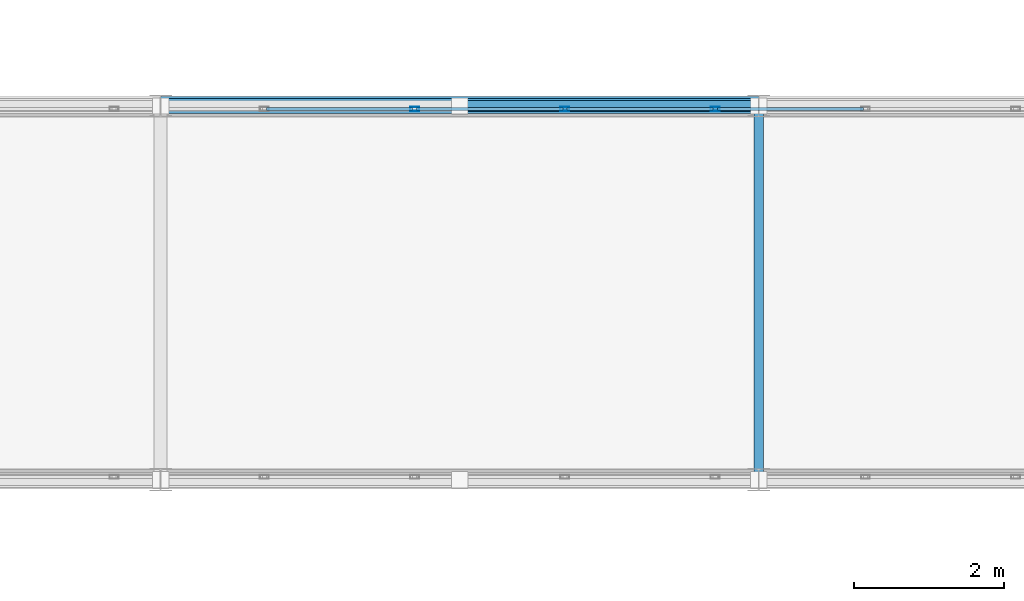
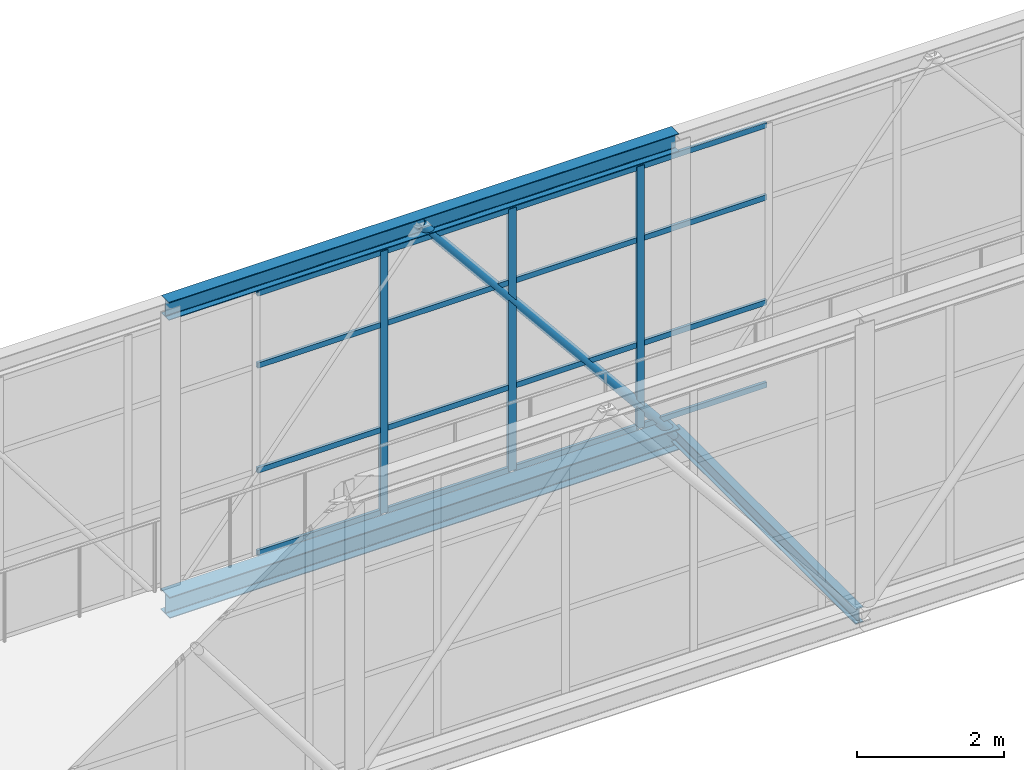
# One storey, part 92 of 248: 23 members, 1 element without a shape of its own.
"""IFC4 building model written with IfcOpenShell, lengths in metres."""

from ifc_helpers import new_model, si_unit, direction, frame, origin, origin_2d, place, context, subcontext, project, spatial, hollow_rectangle, hollow_circle, i_section, extrude, material, layer, layer_set, material_profile, profile_set, type_object, element, aggregate, save


model = new_model("IFC4")

# Units and contexts
model_context = context("Model", 3, precision=1e-05, world=origin(), true_north=direction((0.0, 1.0)))
body_context = subcontext(model_context, "Body", "Model", "MODEL_VIEW")
ifc_project = project(units=[si_unit("LENGTHUNIT", "METRE"), si_unit("AREAUNIT", "SQUARE_METRE"), si_unit("VOLUMEUNIT", "CUBIC_METRE"), si_unit("PLANEANGLEUNIT", "RADIAN"), si_unit("MASSUNIT", "GRAM", prefix="KILO")], contexts=[model_context])

# Site, building, storey
site_placement = place(None, origin())
site = spatial("IfcSite", under=ifc_project, at=site_placement, CompositionType="ELEMENT")
building_placement = place(site_placement, origin())
building = spatial("IfcBuilding", under=site, at=building_placement, Name="Canggui Botanical Conservatory", CompositionType="ELEMENT")
storey_placement = place(building_placement, frame((0.0, 0.0, 5.39990234375)))
storey = spatial("IfcBuildingStorey", under=building, at=storey_placement, Name="L02", CompositionType="ELEMENT", Elevation=5.39990234375)

# Curtain wall, members
ifc_material_1 = material(Name="Thermally Broken Aluminium", Category="aluminium")
ifc_layer = layer(ifc_material_1, 0.1201171875, Name="Thermally Broken Aluminium", Category="aluminium")
ifc_layer_set = layer_set([ifc_layer], Name="Thermally Broken Aluminium")
curtain_wall_type = type_object("IfcCurtainWallType", Name="CW-STICK-B", PredefinedType="USERDEFINED", material=ifc_layer_set)
curtain_wall_placement = place(storey_placement, origin())
curtain_wall = element("IfcCurtainWall", 1, at=curtain_wall_placement, inside=storey, type_object=curtain_wall_type, Name="Facade Curtain Wall CW-SB-01-2", ObjectType="STICK GLAZED WALL", PredefinedType="USERDEFINED")
ifc_material_profile_1 = material_profile(ifc_material_1, hollow_rectangle(XDim=0.054931640625, YDim=0.1201171875, WallThickness=0.0029296875, at=origin_2d()), Name="CWM 55x120x3")
ifc_profile_set_1 = profile_set([ifc_material_profile_1], Name="Thermally Broken Aluminium")
member_type_1 = type_object("IfcMemberType", Name="CWM-05", PredefinedType="MULLION", material=ifc_profile_set_1)
member_1_placement = place(storey_placement, frame((76.8984375, 30.9599609375, 0.0), z_axis=(0.0, 0.0, 1.0), x_axis=(0.0, 1.0, 0.0)))
member_1 = element("IfcMember", 2, at=member_1_placement, type_object=member_type_1, Name="CW-05 mullion 6", PredefinedType="MULLION", context=body_context, shape_type="SweptSolid", body=[
    extrude(hollow_rectangle(XDim=0.054931640625, YDim=0.1201171875, WallThickness=0.0029296875, at=origin_2d()), origin(), (0.0, 0.0, 1.0), 4.35009765625),
])
member_2_placement = place(storey_placement, frame((78.907958984375, 30.9599609375, 0.0), z_axis=(0.0, 0.0, 1.0), x_axis=(0.0, 1.0, 0.0)))
member_2 = element("IfcMember", 3, at=member_2_placement, type_object=member_type_1, Name="CW-05 mullion 7", PredefinedType="MULLION", context=body_context, shape_type="SweptSolid", body=[
    extrude(hollow_rectangle(XDim=0.054931640625, YDim=0.1201171875, WallThickness=0.0029296875, at=origin_2d()), origin(), (0.0, 0.0, 1.0), 4.35009765625),
])
member_3_placement = place(storey_placement, frame((80.917724609375, 30.9599609375, 0.0), z_axis=(0.0, 0.0, 1.0), x_axis=(0.0, 1.0, 0.0)))
member_3 = element("IfcMember", 4, at=member_3_placement, type_object=member_type_1, Name="CW-05 mullion 8", PredefinedType="MULLION", context=body_context, shape_type="SweptSolid", body=[
    extrude(hollow_rectangle(XDim=0.054931640625, YDim=0.1201171875, WallThickness=0.0029296875, at=origin_2d()), origin(), (0.0, 0.0, 1.0), 4.35009765625),
])
ifc_material_profile_2 = material_profile(ifc_material_1, hollow_rectangle(XDim=0.044921875, YDim=0.090087890625, WallThickness=0.0029296875, at=origin_2d()), Name="CWT 45x90x3")
ifc_profile_set_2 = profile_set([ifc_material_profile_2], Name="Thermally Broken Aluminium")
member_type_2 = type_object("IfcMemberType", Name="CWT-05", PredefinedType="USERDEFINED", material=ifc_profile_set_2)
member_4_placement = place(storey_placement, frame((74.916259765625, 30.9599609375, 0.022705078125), z_axis=(1.0, 0.0, 0.0), x_axis=(0.0, 1.0, 0.0)))
member_4 = element("IfcMember", 5, at=member_4_placement, type_object=member_type_2, Name="CW-05 transom 5.1", ObjectType="TRANSOM", PredefinedType="USERDEFINED", context=body_context, shape_type="SweptSolid", body=[
    extrude(hollow_rectangle(XDim=0.044921875, YDim=0.090087890625, WallThickness=0.0029296875, at=origin_2d()), origin(), (0.0, 0.0, 1.0), 1.95458984375),
])
member_5_placement = place(storey_placement, frame((74.916259765625, 30.9599609375, 1.39208984375), z_axis=(1.0, 0.0, 0.0), x_axis=(0.0, 1.0, 0.0)))
member_5 = element("IfcMember", 6, at=member_5_placement, type_object=member_type_2, Name="CW-05 transom 5.2", ObjectType="TRANSOM", PredefinedType="USERDEFINED", context=body_context, shape_type="SweptSolid", body=[
    extrude(hollow_rectangle(XDim=0.044921875, YDim=0.090087890625, WallThickness=0.0029296875, at=origin_2d()), origin(), (0.0, 0.0, 1.0), 1.95458984375),
])
member_6_placement = place(storey_placement, frame((74.916259765625, 30.9599609375, 3.132080078125), z_axis=(1.0, 0.0, 0.0), x_axis=(0.0, 1.0, 0.0)))
member_6 = element("IfcMember", 7, at=member_6_placement, type_object=member_type_2, Name="CW-05 transom 5.3", ObjectType="TRANSOM", PredefinedType="USERDEFINED", context=body_context, shape_type="SweptSolid", body=[
    extrude(hollow_rectangle(XDim=0.044921875, YDim=0.090087890625, WallThickness=0.0029296875, at=origin_2d()), origin(), (0.0, 0.0, 1.0), 1.95458984375),
])
member_7_placement = place(storey_placement, frame((74.916259765625, 30.9599609375, 4.32763671875), z_axis=(1.0, 0.0, 0.0), x_axis=(0.0, 1.0, 0.0)))
member_7 = element("IfcMember", 8, at=member_7_placement, type_object=member_type_2, Name="CW-05 transom 5.4", ObjectType="TRANSOM", PredefinedType="USERDEFINED", context=body_context, shape_type="SweptSolid", body=[
    extrude(hollow_rectangle(XDim=0.044921875, YDim=0.090087890625, WallThickness=0.0029296875, at=origin_2d()), origin(), (0.0, 0.0, 1.0), 1.95458984375),
])
member_8_placement = place(storey_placement, frame((76.92578125, 30.9599609375, 0.022705078125), z_axis=(1.0, 0.0, 0.0), x_axis=(0.0, 1.0, 0.0)))
member_8 = element("IfcMember", 9, at=member_8_placement, type_object=member_type_2, Name="CW-05 transom 6.1", ObjectType="TRANSOM", PredefinedType="USERDEFINED", context=body_context, shape_type="SweptSolid", body=[
    extrude(hollow_rectangle(XDim=0.044921875, YDim=0.090087890625, WallThickness=0.0029296875, at=origin_2d()), origin(), (0.0, 0.0, 1.0), 1.954833984375),
])
member_9_placement = place(storey_placement, frame((76.92578125, 30.9599609375, 1.39208984375), z_axis=(1.0, 0.0, 0.0), x_axis=(0.0, 1.0, 0.0)))
member_9 = element("IfcMember", 10, at=member_9_placement, type_object=member_type_2, Name="CW-05 transom 6.2", ObjectType="TRANSOM", PredefinedType="USERDEFINED", context=body_context, shape_type="SweptSolid", body=[
    extrude(hollow_rectangle(XDim=0.044921875, YDim=0.090087890625, WallThickness=0.0029296875, at=origin_2d()), origin(), (0.0, 0.0, 1.0), 1.954833984375),
])
member_10_placement = place(storey_placement, frame((76.92578125, 30.9599609375, 3.132080078125), z_axis=(1.0, 0.0, 0.0), x_axis=(0.0, 1.0, 0.0)))
member_10 = element("IfcMember", 11, at=member_10_placement, type_object=member_type_2, Name="CW-05 transom 6.3", ObjectType="TRANSOM", PredefinedType="USERDEFINED", context=body_context, shape_type="SweptSolid", body=[
    extrude(hollow_rectangle(XDim=0.044921875, YDim=0.090087890625, WallThickness=0.0029296875, at=origin_2d()), origin(), (0.0, 0.0, 1.0), 1.954833984375),
])
member_11_placement = place(storey_placement, frame((76.92578125, 30.9599609375, 4.32763671875), z_axis=(1.0, 0.0, 0.0), x_axis=(0.0, 1.0, 0.0)))
member_11 = element("IfcMember", 12, at=member_11_placement, type_object=member_type_2, Name="CW-05 transom 6.4", ObjectType="TRANSOM", PredefinedType="USERDEFINED", context=body_context, shape_type="SweptSolid", body=[
    extrude(hollow_rectangle(XDim=0.044921875, YDim=0.090087890625, WallThickness=0.0029296875, at=origin_2d()), origin(), (0.0, 0.0, 1.0), 1.954833984375),
])
member_12_placement = place(storey_placement, frame((78.935546875, 30.9599609375, 0.022705078125), z_axis=(1.0, 0.0, 0.0), x_axis=(0.0, 1.0, 0.0)))
member_12 = element("IfcMember", 13, at=member_12_placement, type_object=member_type_2, Name="CW-05 transom 7.1", ObjectType="TRANSOM", PredefinedType="USERDEFINED", context=body_context, shape_type="SweptSolid", body=[
    extrude(hollow_rectangle(XDim=0.044921875, YDim=0.090087890625, WallThickness=0.0029296875, at=origin_2d()), origin(), (0.0, 0.0, 1.0), 1.95458984375),
])
member_13_placement = place(storey_placement, frame((78.935546875, 30.9599609375, 1.39208984375), z_axis=(1.0, 0.0, 0.0), x_axis=(0.0, 1.0, 0.0)))
member_13 = element("IfcMember", 14, at=member_13_placement, type_object=member_type_2, Name="CW-05 transom 7.2", ObjectType="TRANSOM", PredefinedType="USERDEFINED", context=body_context, shape_type="SweptSolid", body=[
    extrude(hollow_rectangle(XDim=0.044921875, YDim=0.090087890625, WallThickness=0.0029296875, at=origin_2d()), origin(), (0.0, 0.0, 1.0), 1.95458984375),
])
member_14_placement = place(storey_placement, frame((78.935546875, 30.9599609375, 3.132080078125), z_axis=(1.0, 0.0, 0.0), x_axis=(0.0, 1.0, 0.0)))
member_14 = element("IfcMember", 15, at=member_14_placement, type_object=member_type_2, Name="CW-05 transom 7.3", ObjectType="TRANSOM", PredefinedType="USERDEFINED", context=body_context, shape_type="SweptSolid", body=[
    extrude(hollow_rectangle(XDim=0.044921875, YDim=0.090087890625, WallThickness=0.0029296875, at=origin_2d()), origin(), (0.0, 0.0, 1.0), 1.95458984375),
])
member_15_placement = place(storey_placement, frame((78.935546875, 30.9599609375, 4.32763671875), z_axis=(1.0, 0.0, 0.0), x_axis=(0.0, 1.0, 0.0)))
member_15 = element("IfcMember", 16, at=member_15_placement, type_object=member_type_2, Name="CW-05 transom 7.4", ObjectType="TRANSOM", PredefinedType="USERDEFINED", context=body_context, shape_type="SweptSolid", body=[
    extrude(hollow_rectangle(XDim=0.044921875, YDim=0.090087890625, WallThickness=0.0029296875, at=origin_2d()), origin(), (0.0, 0.0, 1.0), 1.95458984375),
])
member_16_placement = place(storey_placement, frame((80.9453125, 30.9599609375, 0.022705078125), z_axis=(1.0, 0.0, 0.0), x_axis=(0.0, 1.0, 0.0)))
member_16 = element("IfcMember", 17, at=member_16_placement, type_object=member_type_2, Name="CW-05 transom 8.1", ObjectType="TRANSOM", PredefinedType="USERDEFINED", context=body_context, shape_type="SweptSolid", body=[
    extrude(hollow_rectangle(XDim=0.044921875, YDim=0.090087890625, WallThickness=0.0029296875, at=origin_2d()), origin(), (0.0, 0.0, 1.0), 1.95458984375),
])
member_17_placement = place(storey_placement, frame((80.9453125, 30.9599609375, 1.39208984375), z_axis=(1.0, 0.0, 0.0), x_axis=(0.0, 1.0, 0.0)))
member_17 = element("IfcMember", 18, at=member_17_placement, type_object=member_type_2, Name="CW-05 transom 8.2", ObjectType="TRANSOM", PredefinedType="USERDEFINED", context=body_context, shape_type="SweptSolid", body=[
    extrude(hollow_rectangle(XDim=0.044921875, YDim=0.090087890625, WallThickness=0.0029296875, at=origin_2d()), origin(), (0.0, 0.0, 1.0), 1.95458984375),
])
member_18_placement = place(storey_placement, frame((80.9453125, 30.9599609375, 3.132080078125), z_axis=(1.0, 0.0, 0.0), x_axis=(0.0, 1.0, 0.0)))
member_18 = element("IfcMember", 19, at=member_18_placement, type_object=member_type_2, Name="CW-05 transom 8.3", ObjectType="TRANSOM", PredefinedType="USERDEFINED", context=body_context, shape_type="SweptSolid", body=[
    extrude(hollow_rectangle(XDim=0.044921875, YDim=0.090087890625, WallThickness=0.0029296875, at=origin_2d()), origin(), (0.0, 0.0, 1.0), 1.95458984375),
])
member_19_placement = place(storey_placement, frame((80.9453125, 30.9599609375, 4.32763671875), z_axis=(1.0, 0.0, 0.0), x_axis=(0.0, 1.0, 0.0)))
member_19 = element("IfcMember", 20, at=member_19_placement, type_object=member_type_2, Name="CW-05 transom 8.4", ObjectType="TRANSOM", PredefinedType="USERDEFINED", context=body_context, shape_type="SweptSolid", body=[
    extrude(hollow_rectangle(XDim=0.044921875, YDim=0.090087890625, WallThickness=0.0029296875, at=origin_2d()), origin(), (0.0, 0.0, 1.0), 1.95458984375),
])
aggregate(curtain_wall, [member_1, member_2, member_3, member_4, member_5, member_6, member_7, member_8, member_9, member_10, member_11, member_12, member_13, member_14, member_15, member_16, member_17, member_18, member_19])

# Members
ifc_material_2 = material(Name="Steel Q355C", Category="steel")
ifc_material_profile_3 = material_profile(ifc_material_2, hollow_circle(Radius=0.075927734375, WallThickness=0.006103515625, at=origin_2d()), Name="CHS 152x6")
ifc_profile_set_3 = profile_set([ifc_material_profile_3], Name="Steel Q355C")
member_type_3 = type_object("IfcMemberType", Name="MEM-GSD04", PredefinedType="RAFTER", material=ifc_profile_set_3)
member_20_placement = place(storey_placement, frame((77.5, 31.0, 4.550048828125), z_axis=(0.632384053133, 0.0, -0.774655026024), x_axis=(0.0, 1.0, 0.0)))
element("IfcMember", 21, at=member_20_placement, inside=storey, type_object=member_type_3, Name="SB-01 Truss Web Rafter 2.2B", PredefinedType="RAFTER", context=body_context, shape_type="SweptSolid", body=[
    extrude(hollow_circle(Radius=0.075927734375, WallThickness=0.006103515625, at=origin_2d()), origin(), (0.0, 0.0, 1.0), 6.3251953125),
])
ifc_material_3 = material(Name="Steel Q355B", Category="steel")
ifc_material_profile_4 = material_profile(ifc_material_3, i_section(OverallWidth=0.125, OverallDepth=0.25, WebThickness=0.006103515625, FlangeThickness=0.009033203125, FilletRadius=0.011962890625, at=origin_2d()), Name="HN 250x125x6x9")
ifc_profile_set_4 = profile_set([ifc_material_profile_4], Name="Steel Q355B")
member_type_4 = type_object("IfcMemberType", Name="MEM-STR01", PredefinedType="STRINGER", material=ifc_profile_set_4)
member_21_placement = place(storey_placement, frame((81.5, 26.0, -0.31982421875), z_axis=(0.0, 1.0, 0.0), x_axis=(-1.0, 0.0, 0.0)))
element("IfcMember", 22, at=member_21_placement, inside=storey, type_object=member_type_4, Name="SB-01 Deck Transverse Stringer 2", PredefinedType="STRINGER", context=body_context, shape_type="SweptSolid", body=[
    extrude(i_section(OverallWidth=0.125, OverallDepth=0.25, WebThickness=0.006103515625, FlangeThickness=0.009033203125, FilletRadius=0.011962890625, at=origin_2d()), origin(), (0.0, 0.0, 1.0), 5.0),
])
ifc_material_profile_5 = material_profile(ifc_material_3, i_section(OverallWidth=0.25, OverallDepth=0.35009765625, WebThickness=0.009033203125, FlangeThickness=0.013916015625, FilletRadius=0.02001953125, at=origin_2d()), Name="HM 350x250x9x14")
ifc_profile_set_5 = profile_set([ifc_material_profile_5], Name="Steel Q355B")
member_type_5 = type_object("IfcMemberType", Name="MEM-TC03", PredefinedType="CHORD", material=ifc_profile_set_5)
member_22_placement = place(storey_placement, frame((73.5, 31.0, -0.349853515625), z_axis=(1.0, 0.0, 0.0), x_axis=(0.0, 1.0, 0.0)))
element("IfcMember", 23, at=member_22_placement, inside=storey, type_object=member_type_5, Name="SB-01 Deck Truss Bottom Chord 2.2", PredefinedType="CHORD", context=body_context, shape_type="SweptSolid", body=[
    extrude(i_section(OverallWidth=0.25, OverallDepth=0.35009765625, WebThickness=0.009033203125, FlangeThickness=0.013916015625, FilletRadius=0.02001953125, at=origin_2d()), origin(), (0.0, 0.0, 1.0), 8.0),
])
ifc_material_profile_6 = material_profile(ifc_material_3, i_section(OverallWidth=0.199951171875, OverallDepth=0.300048828125, WebThickness=0.008056640625, FlangeThickness=0.011962890625, FilletRadius=0.01806640625, at=origin_2d()), Name="HM 300x200x8x12")
ifc_profile_set_6 = profile_set([ifc_material_profile_6], Name="Steel Q355B")
member_type_6 = type_object("IfcMemberType", Name="MEM-TC04", PredefinedType="CHORD", material=ifc_profile_set_6)
member_23_placement = place(storey_placement, frame((73.5, 31.0, 4.550048828125), z_axis=(1.0, 0.0, 0.0), x_axis=(0.0, 1.0, 0.0)))
element("IfcMember", 24, at=member_23_placement, inside=storey, type_object=member_type_6, Name="SB-01 Roof Truss Top Chord 2.2", PredefinedType="CHORD", context=body_context, shape_type="SweptSolid", body=[
    extrude(i_section(OverallWidth=0.199951171875, OverallDepth=0.300048828125, WebThickness=0.008056640625, FlangeThickness=0.011962890625, FilletRadius=0.01806640625, at=origin_2d()), origin(), (0.0, 0.0, 1.0), 8.0),
])

save(model, "model.ifc")
